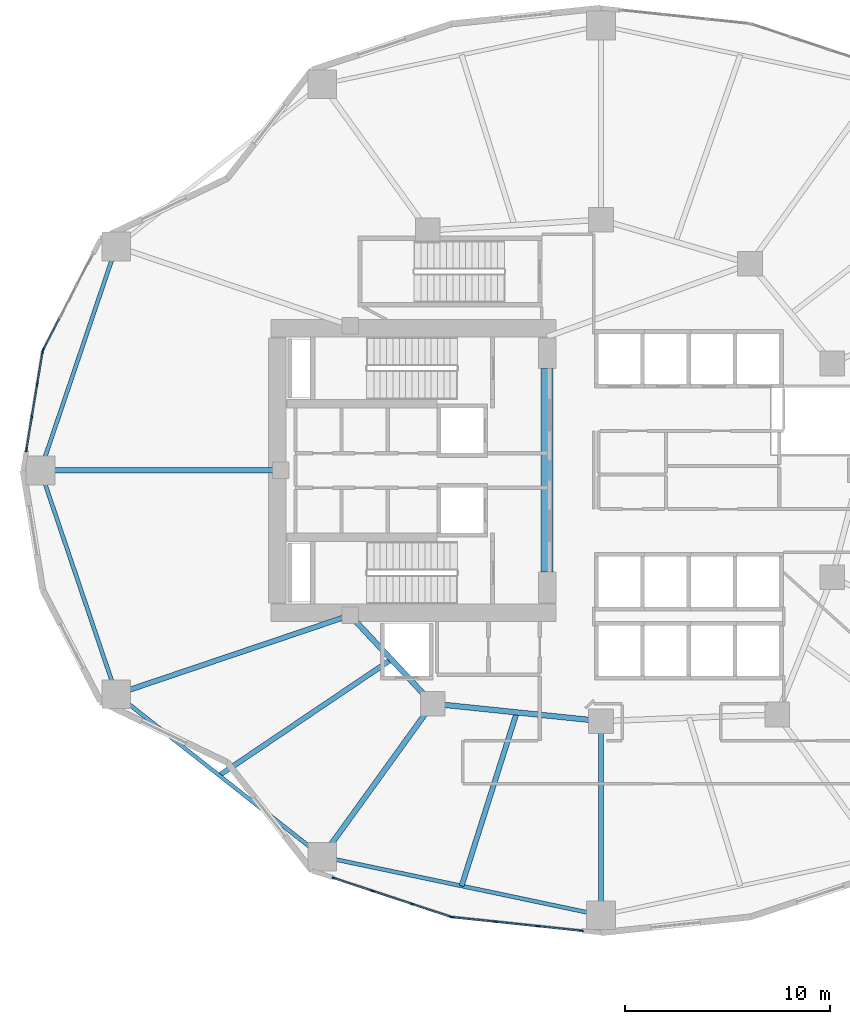
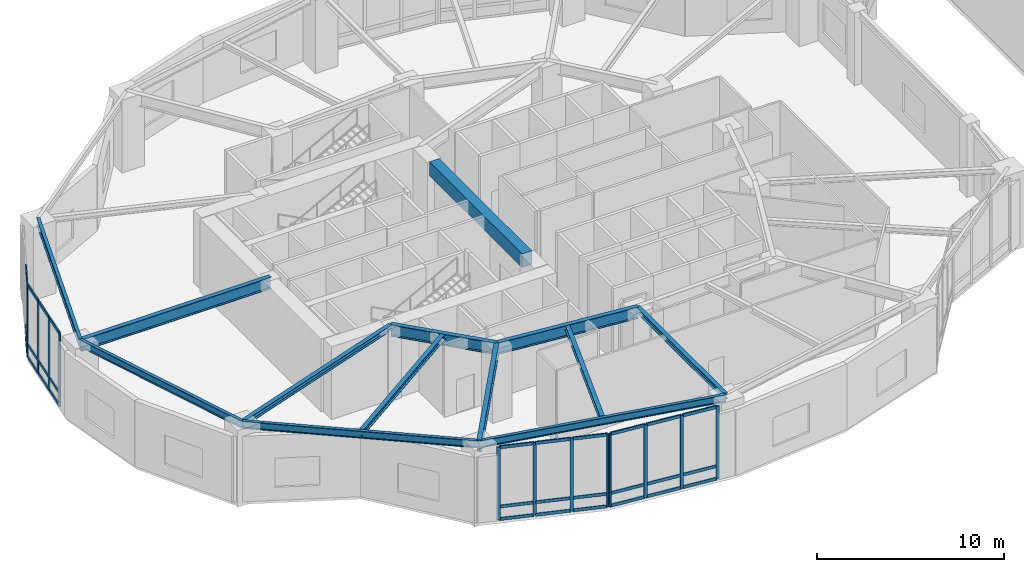
# One storey, part 2 of 21: 43 members, 13 beams, 4 elements without a shape of their own.
"""IFC4 building model written with IfcOpenShell, lengths in metres."""

import ifcopenshell
import ifcopenshell.guid

model = None  # the IFC model being written
_history = None  # IfcOwnerHistory: only IFC2X3 demands one
_inside = {}  # id of a spatial element -> (the spatial element, [elements in it])
_under = {}  # id of a project, library or spatial element -> (it, [spatial elements below it])
_declared = {}  # id of a project -> (the project, [libraries it declares])
_typed = {}  # id of a type object -> (the type object, [elements of that type])
_made_of = {}  # id of a material, layer set ... -> (it, [elements and type objects made of it])


def new_model(schema):
    """Start an empty IFC model of exactly this schema.

    Asked for "IFC4X3", IfcOpenShell would pick the latest addendum, in which some entities
    have other attributes; the version numbers below select the first issue.
    IFC2X3 requires an IfcOwnerHistory on every rooted entity: one is made here for all.
    """
    global model, _history
    if schema == "IFC4X3":
        model = ifcopenshell.file(schema_version=(4, 3, 0, 0))
    else:
        model = ifcopenshell.file(schema=schema)
    _inside.clear()
    _under.clear()
    _declared.clear()
    _typed.clear()
    _made_of.clear()
    _history = None
    if model.schema == "IFC2X3":
        org = make("IfcOrganization", Name="unknown")
        user = make(
            "IfcPersonAndOrganization",
            ThePerson=make("IfcPerson", FamilyName="unknown"),
            TheOrganization=org,
        )
        app = make(
            "IfcApplication",
            ApplicationDeveloper=org,
            Version="unknown",
            ApplicationFullName="unknown",
            ApplicationIdentifier="unknown",
        )
        _history = make(
            "IfcOwnerHistory",
            OwningUser=user,
            OwningApplication=app,
            ChangeAction="ADDED",
            CreationDate=0,
        )
    return model


def make(cls, **values):
    """One entity of the class cls with the attributes given. An attribute that is None is left unset."""
    return model.create_entity(
        cls, **{name: value for name, value in values.items() if value is not None}
    )


def rooted(cls, **values):
    """An entity with a GlobalId (a new one), such as an element, a storey or a relation."""
    return make(cls, GlobalId=ifcopenshell.guid.new(), OwnerHistory=_history, **values)


def si_unit(unit_type, name, prefix=None):
    """IfcSIUnit, for example si_unit("LENGTHUNIT", "METRE", prefix="MILLI")."""
    return make("IfcSIUnit", UnitType=unit_type, Prefix=prefix, Name=name)


def assignment(units):
    """IfcUnitAssignment: the units of a project."""
    return None if units is None else make("IfcUnitAssignment", Units=units)


def point(xyz):
    """IfcCartesianPoint."""
    return None if xyz is None else make("IfcCartesianPoint", Coordinates=xyz)


def direction(xyz):
    """IfcDirection."""
    return None if xyz is None else make("IfcDirection", DirectionRatios=xyz)


def frame(location, z_axis=None, x_axis=None):
    """IfcAxis2Placement3D, a coordinate frame: its origin and axes. An axis left out is left unset."""
    return make(
        "IfcAxis2Placement3D",
        Location=point(location),
        Axis=direction(z_axis),
        RefDirection=direction(x_axis),
    )


def frame_2d(location, x_axis=None):
    """IfcAxis2Placement2D, a coordinate frame in the plane: its origin and x axis."""
    return make(
        "IfcAxis2Placement2D", Location=point(location), RefDirection=direction(x_axis)
    )


def origin():
    """The frame at (0, 0, 0) with its axes left unset."""
    return frame((0.0, 0.0, 0.0))


def origin_2d():
    """The frame at (0, 0) in the plane with its x axis left unset."""
    return frame_2d((0.0, 0.0))


def place(relative_to, where):
    """IfcLocalPlacement: puts the frame where relative to a parent placement (None: the world)."""
    return make(
        "IfcLocalPlacement", PlacementRelTo=relative_to, RelativePlacement=where
    )


def context(
    kind, dimensions, precision=None, world=None, true_north=None, identifier=None
):
    """IfcGeometricRepresentationContext, for example the 3D "Model" context."""
    return make(
        "IfcGeometricRepresentationContext",
        ContextIdentifier=identifier,
        ContextType=kind,
        CoordinateSpaceDimension=dimensions,
        Precision=precision,
        WorldCoordinateSystem=world,
        TrueNorth=true_north,
    )


def subcontext(parent, identifier, kind, view, scale=None):
    """IfcGeometricRepresentationSubContext, for example "Body" below "Model"."""
    return make(
        "IfcGeometricRepresentationSubContext",
        ContextIdentifier=identifier,
        ContextType=kind,
        ParentContext=parent,
        TargetScale=scale,
        TargetView=view,
    )


def project(units=None, contexts=None):
    """IfcProject with its units and contexts."""
    return rooted(
        "IfcProject",
        Name="project",
        RepresentationContexts=contexts,
        UnitsInContext=assignment(units),
    )


def spatial(cls, under=None, at=None, **own):
    """A site, building, storey or space (cls), placed at a placement, below another one or the project."""
    s = rooted(cls, ObjectPlacement=at, **own)
    if under is not None:
        _under.setdefault(under.id(), (under, []))[1].append(s)
    return s


def profile(cls, at=None, kind="AREA", **sizes):
    """A parametric profile (cls). Its sizes go by their IFC names, for example OverallWidth=200.0."""
    return make(cls, ProfileType=kind, Position=at, **sizes)


def rectangle(**sizes):
    """IfcRectangleProfileDef."""
    return profile("IfcRectangleProfileDef", **sizes)


def i_section(**sizes):
    """IfcIShapeProfileDef."""
    return profile("IfcIShapeProfileDef", **sizes)


def extrude(swept, where, along, depth):
    """IfcExtrudedAreaSolid: the profile swept, set in the frame where, extruded along a direction by depth."""
    return make(
        "IfcExtrudedAreaSolid",
        SweptArea=swept,
        Position=where,
        ExtrudedDirection=direction(along),
        Depth=depth,
    )


def shape(context_of_items, identifier, shape_type, items):
    """IfcShapeRepresentation: the items that make up one representation, for example the "Body"."""
    return make(
        "IfcShapeRepresentation",
        ContextOfItems=context_of_items,
        RepresentationIdentifier=identifier,
        RepresentationType=shape_type,
        Items=items,
    )


def material(Name=None, Category=None):
    """IfcMaterial."""
    return make("IfcMaterial", Name=Name, Category=Category)


def layer(
    of_material, thickness, ventilated=None, Name=None, Category=None, Priority=None
):
    """IfcMaterialLayer: one layer of a wall or slab, of a material (None: an air gap)."""
    return make(
        "IfcMaterialLayer",
        Material=of_material,
        LayerThickness=thickness,
        IsVentilated=ventilated,
        Name=Name,
        Category=Category,
        Priority=Priority,
    )


def layer_set(layers, Name=None):
    """IfcMaterialLayerSet."""
    return make("IfcMaterialLayerSet", MaterialLayers=layers, LayerSetName=Name)


def material_profile(
    of_material, cross_section, Name=None, Category=None, Priority=None
):
    """IfcMaterialProfile: a cross section and its material."""
    return make(
        "IfcMaterialProfile",
        Name=Name,
        Material=of_material,
        Profile=cross_section,
        Priority=Priority,
        Category=Category,
    )


def profile_set(profiles, Name=None, composite=None):
    """IfcMaterialProfileSet."""
    return make(
        "IfcMaterialProfileSet",
        Name=Name,
        MaterialProfiles=profiles,
        CompositeProfile=composite,
    )


def made_of(thing, what):
    """Note that an element or type object is made of a material, layer set ...; save() writes the relation."""
    if what is not None:
        _made_of.setdefault(what.id(), (what, []))[1].append(thing)
    return thing


def type_object(cls, material=None, **own):
    """A type object (cls), such as IfcWallType, which elements share."""
    return made_of(rooted(cls, **own), material)


def element(
    cls,
    number,
    at=None,
    inside=None,
    cuts=None,
    type_object=None,
    material=None,
    context=None,
    identifier="Body",
    shape_type=None,
    held_by="IfcProductDefinitionShape",
    body=None,
    shapes=None,
    **own,
):
    """One element of the class cls, such as IfcWall. Its Tag is "e" and its number.

    at: its placement. inside: the storey or other place that contains it. cuts: it is an
    opening in that element (IfcRelVoidsElement). A single representation is given by context,
    identifier, shape_type and body (its items); several are given by shapes. held_by: the class
    of the entity that holds the representations. save() writes the other relations.
    """
    e = rooted(cls, Tag="e%d" % number, ObjectPlacement=at, **own)
    if body is not None:
        shapes = [shape(context, identifier, shape_type, body)]
    if shapes is not None:
        e.Representation = make(held_by, Representations=shapes)
    if inside is not None:
        _inside.setdefault(inside.id(), (inside, []))[1].append(e)
    if cuts is not None:
        rooted(
            "IfcRelVoidsElement", RelatingBuildingElement=cuts, RelatedOpeningElement=e
        )
    if type_object is not None:
        _typed.setdefault(type_object.id(), (type_object, []))[1].append(e)
    return made_of(e, material)


def aggregate(whole, parts):
    """IfcRelAggregates: a whole, such as a stair, and the parts it consists of."""
    return rooted("IfcRelAggregates", RelatingObject=whole, RelatedObjects=parts)


def save(model, path):
    """Write the relations noted so far, then the file.

    IfcRelAggregates (storeys below a building ...), IfcRelContainedInSpatialStructure (elements
    in a storey), IfcRelDefinesByType, IfcRelAssociatesMaterial and IfcRelDeclares: one each for
    every whole, place, type object, material and project.
    """
    for whole, parts in _under.values():
        aggregate(whole, parts)
    for where, things in _inside.values():
        rooted(
            "IfcRelContainedInSpatialStructure",
            RelatedElements=things,
            RelatingStructure=where,
        )
    for kind, things in _typed.values():
        rooted("IfcRelDefinesByType", RelatedObjects=things, RelatingType=kind)
    for what, things in _made_of.values():
        rooted("IfcRelAssociatesMaterial", RelatedObjects=things, RelatingMaterial=what)
    for by, libraries in _declared.values():
        rooted("IfcRelDeclares", RelatingContext=by, RelatedDefinitions=libraries)
    model.write(path)


model = new_model("IFC4")

# Units and contexts
model_context = context("Model", 3, precision=1e-05, world=origin(), true_north=direction((0.0, 1.0)))
body_context = subcontext(model_context, "Body", "Model", "MODEL_VIEW")
ifc_project = project(units=[si_unit("LENGTHUNIT", "METRE"), si_unit("AREAUNIT", "SQUARE_METRE"), si_unit("VOLUMEUNIT", "CUBIC_METRE"), si_unit("PLANEANGLEUNIT", "RADIAN"), si_unit("MASSUNIT", "GRAM", prefix="KILO")], contexts=[model_context])

# Site, building, storey
site_placement = place(None, origin())
site = spatial("IfcSite", under=ifc_project, at=site_placement, CompositionType="ELEMENT")
building_placement = place(site_placement, origin())
building = spatial("IfcBuilding", under=site, at=building_placement, Name="Kolvaren Gate Tower and Convention Centre", CompositionType="ELEMENT")
storey_placement = place(building_placement, frame((0.0, 0.0, 5.0)))
storey = spatial("IfcBuildingStorey", under=building, at=storey_placement, Name="L01", CompositionType="ELEMENT", Elevation=5.0)

# Curtain wall, member
ifc_material_1 = material(Name="Anodized Architectural Aluminium Alloy 6063-T6", Category="aluminium")
ifc_layer = layer(ifc_material_1, 0.179931640625)
ifc_layer_set = layer_set([ifc_layer], Name="Anodized Architectural Aluminium Alloy 6063-T6")
curtain_wall_type = type_object("IfcCurtainWallType", Name="CW-POD-GLZ", PredefinedType="NOTDEFINED", material=ifc_layer_set)
curtain_wall_1_placement = place(storey_placement, origin())
curtain_wall_1 = element("IfcCurtainWall", 1, at=curtain_wall_1_placement, inside=storey, type_object=curtain_wall_type, Name="Tower L01 Unitised Curtain Wall CW-POD-GLZ Bay 10", PredefinedType="NOTDEFINED")
ifc_material_profile_1 = material_profile(ifc_material_1, rectangle(XDim=0.074951171875, YDim=0.199951171875, at=origin_2d()), Name="CW-MEM-MUL-200")
ifc_profile_set_1 = profile_set([ifc_material_profile_1], Name="Anodized Architectural Aluminium Alloy 6063-T6")
member_type_1 = type_object("IfcMemberType", Name="CW-MEM-MUL-200", PredefinedType="MULLION", material=ifc_profile_set_1)
member_1_placement = place(storey_placement, frame((2.9755859375, 32.856689453125, 0.0), z_axis=(0.0, 0.0, 1.0), x_axis=(-0.888028058024, 0.459789264949, 0.0)))
member_1 = element("IfcMember", 2, at=member_1_placement, type_object=member_type_1, Name="CW-01 mullion 1", PredefinedType="MULLION", context=body_context, shape_type="SweptSolid", body=[
    extrude(rectangle(XDim=0.074951171875, YDim=0.199951171875, at=origin_2d()), origin(), (0.0, 0.0, 1.0), 4.739990234375),
])

# Curtain wall, members
curtain_wall_2_placement = place(storey_placement, origin())
curtain_wall_2 = element("IfcCurtainWall", 3, at=curtain_wall_2_placement, inside=storey, type_object=curtain_wall_type, Name="Tower L01 Unitised Curtain Wall CW-POD-GLZ Bay 11", PredefinedType="NOTDEFINED")
member_2_placement = place(storey_placement, frame((2.164794921875, 28.001953125, 0.0), z_axis=(0.0, 0.0, 1.0), x_axis=(-0.986728883059, 0.162376449454, 0.0)))
member_2 = element("IfcMember", 4, at=member_2_placement, type_object=member_type_1, Name="CW-01 mullion 1", PredefinedType="MULLION", context=body_context, shape_type="SweptSolid", body=[
    extrude(rectangle(XDim=0.074951171875, YDim=0.199951171875, at=origin_2d()), origin(), (0.0, 0.0, 1.0), 4.739990234375),
])
member_3_placement = place(storey_placement, frame((2.42529296875, 29.58447265625, 0.0), z_axis=(0.0, 0.0, 1.0), x_axis=(-0.986728883059, 0.162376449454, 0.0)))
member_3 = element("IfcMember", 5, at=member_3_placement, type_object=member_type_1, Name="CW-01 mullion 2", PredefinedType="MULLION", context=body_context, shape_type="SweptSolid", body=[
    extrude(rectangle(XDim=0.074951171875, YDim=0.199951171875, at=origin_2d()), origin(), (0.0, 0.0, 1.0), 4.739990234375),
])
member_4_placement = place(storey_placement, frame((2.69189453125, 31.203857421875, 0.0), z_axis=(0.0, 0.0, 1.0), x_axis=(-0.986728883059, 0.162376449454, 0.0)))
member_4 = element("IfcMember", 6, at=member_4_placement, type_object=member_type_1, Name="CW-01 mullion 3", PredefinedType="MULLION", context=body_context, shape_type="SweptSolid", body=[
    extrude(rectangle(XDim=0.074951171875, YDim=0.199951171875, at=origin_2d()), origin(), (0.0, 0.0, 1.0), 4.739990234375),
])
member_5_placement = place(storey_placement, frame((2.9521484375, 32.786376953125, 0.0), z_axis=(0.0, 0.0, 1.0), x_axis=(-0.986728883059, 0.162376449454, 0.0)))
member_5 = element("IfcMember", 7, at=member_5_placement, type_object=member_type_1, Name="CW-01 mullion 4", PredefinedType="MULLION", context=body_context, shape_type="SweptSolid", body=[
    extrude(rectangle(XDim=0.074951171875, YDim=0.199951171875, at=origin_2d()), origin(), (0.0, 0.0, 1.0), 4.739990234375),
])

curtain_wall_3_placement = place(storey_placement, origin())
curtain_wall_3 = element("IfcCurtainWall", 8, at=curtain_wall_3_placement, inside=storey, type_object=curtain_wall_type, Name="Tower L01 Unitised Curtain Wall CW-POD-GLZ Bay 16", PredefinedType="NOTDEFINED")
member_6_placement = place(storey_placement, frame((17.137451171875, 7.158203125, 0.0), z_axis=(0.0, 0.0, 1.0), x_axis=(0.314546537175, 0.949242053404, 0.0)))
member_6 = element("IfcMember", 9, at=member_6_placement, type_object=member_type_1, Name="CW-01 mullion 1", PredefinedType="MULLION", context=body_context, shape_type="SweptSolid", body=[
    extrude(rectangle(XDim=0.074951171875, YDim=0.199951171875, at=origin_2d()), origin(), (0.0, 0.0, 1.0), 4.739990234375),
])
member_7_placement = place(storey_placement, frame((19.0166015625, 6.53564453125, 0.0), z_axis=(0.0, 0.0, 1.0), x_axis=(0.314546537175, 0.949242053404, 0.0)))
member_7 = element("IfcMember", 10, at=member_7_placement, type_object=member_type_1, Name="CW-01 mullion 2", PredefinedType="MULLION", context=body_context, shape_type="SweptSolid", body=[
    extrude(rectangle(XDim=0.074951171875, YDim=0.199951171875, at=origin_2d()), origin(), (0.0, 0.0, 1.0), 4.739990234375),
])
member_8_placement = place(storey_placement, frame((20.93115234375, 5.901123046875, 0.0), z_axis=(0.0, 0.0, 1.0), x_axis=(0.314546537175, 0.949242053404, 0.0)))
member_8 = element("IfcMember", 11, at=member_8_placement, type_object=member_type_1, Name="CW-01 mullion 3", PredefinedType="MULLION", context=body_context, shape_type="SweptSolid", body=[
    extrude(rectangle(XDim=0.074951171875, YDim=0.199951171875, at=origin_2d()), origin(), (0.0, 0.0, 1.0), 4.739990234375),
])
member_9_placement = place(storey_placement, frame((22.81005859375, 5.278564453125, 0.0), z_axis=(0.0, 0.0, 1.0), x_axis=(0.314546537175, 0.949242053404, 0.0)))
member_9 = element("IfcMember", 12, at=member_9_placement, type_object=member_type_1, Name="CW-01 mullion 4", PredefinedType="MULLION", context=body_context, shape_type="SweptSolid", body=[
    extrude(rectangle(XDim=0.074951171875, YDim=0.199951171875, at=origin_2d()), origin(), (0.0, 0.0, 1.0), 4.739990234375),
])

curtain_wall_4_placement = place(storey_placement, origin())
curtain_wall_4 = element("IfcCurtainWall", 13, at=curtain_wall_4_placement, inside=storey, type_object=curtain_wall_type, Name="Tower L01 Unitised Curtain Wall CW-POD-GLZ Bay 17", PredefinedType="NOTDEFINED")
member_10_placement = place(storey_placement, frame((22.883056640625, 5.2626953125, 0.0), z_axis=(0.0, 0.0, 1.0), x_axis=(0.104741799872, 0.994499449653, 0.0)))
member_10 = element("IfcMember", 14, at=member_10_placement, type_object=member_type_1, Name="CW-01 mullion 1", PredefinedType="MULLION", context=body_context, shape_type="SweptSolid", body=[
    extrude(rectangle(XDim=0.074951171875, YDim=0.199951171875, at=origin_2d()), origin(), (0.0, 0.0, 1.0), 4.739990234375),
])
member_11_placement = place(storey_placement, frame((24.96435546875, 5.04345703125, 0.0), z_axis=(0.0, 0.0, 1.0), x_axis=(0.104741799872, 0.994499449653, 0.0)))
member_11 = element("IfcMember", 15, at=member_11_placement, type_object=member_type_1, Name="CW-01 mullion 2", PredefinedType="MULLION", context=body_context, shape_type="SweptSolid", body=[
    extrude(rectangle(XDim=0.074951171875, YDim=0.199951171875, at=origin_2d()), origin(), (0.0, 0.0, 1.0), 4.739990234375),
])
member_12_placement = place(storey_placement, frame((27.0830078125, 4.8203125, 0.0), z_axis=(0.0, 0.0, 1.0), x_axis=(0.104741799872, 0.994499449653, 0.0)))
member_12 = element("IfcMember", 16, at=member_12_placement, type_object=member_type_1, Name="CW-01 mullion 3", PredefinedType="MULLION", context=body_context, shape_type="SweptSolid", body=[
    extrude(rectangle(XDim=0.074951171875, YDim=0.199951171875, at=origin_2d()), origin(), (0.0, 0.0, 1.0), 4.739990234375),
])
member_13_placement = place(storey_placement, frame((29.164306640625, 4.601318359375, 0.0), z_axis=(0.0, 0.0, 1.0), x_axis=(0.104741799872, 0.994499449653, 0.0)))
member_13 = element("IfcMember", 17, at=member_13_placement, type_object=member_type_1, Name="CW-01 mullion 4", PredefinedType="MULLION", context=body_context, shape_type="SweptSolid", body=[
    extrude(rectangle(XDim=0.074951171875, YDim=0.199951171875, at=origin_2d()), origin(), (0.0, 0.0, 1.0), 4.739990234375),
])

# Member
ifc_material_profile_2 = material_profile(ifc_material_1, rectangle(XDim=0.074951171875, YDim=0.199951171875, at=origin_2d()), Name="CW-MEM-TRN-200")
ifc_profile_set_2 = profile_set([ifc_material_profile_2], Name="Anodized Architectural Aluminium Alloy 6063-T6")
member_type_2 = type_object("IfcMemberType", Name="CW-MEM-TRN-200", PredefinedType="USERDEFINED", material=ifc_profile_set_2)
member_14_placement = place(storey_placement, frame((2.99267578125, 32.889892578125, 0.03759765625), z_axis=(0.459779568352, 0.888033078509, 0.0), x_axis=(-0.888033078509, 0.459779568352, 0.0)))
member_14 = element("IfcMember", 18, at=member_14_placement, type_object=member_type_2, Name="CW-01 transom 1.1", ObjectType="TRANSOM", PredefinedType="USERDEFINED", context=body_context, shape_type="SweptSolid", body=[
    extrude(rectangle(XDim=0.074951171875, YDim=0.199951171875, at=origin_2d()), origin(), (0.0, 0.0, 1.0), 1.6572265625),
])

member_15_placement = place(storey_placement, frame((2.99267578125, 32.889892578125, 0.85009765625), z_axis=(0.459779568352, 0.888033078509, 0.0), x_axis=(-0.888033078509, 0.459779568352, 0.0)))
member_15 = element("IfcMember", 19, at=member_15_placement, type_object=member_type_2, Name="CW-01 transom 1.2", ObjectType="TRANSOM", PredefinedType="USERDEFINED", context=body_context, shape_type="SweptSolid", body=[
    extrude(rectangle(XDim=0.074951171875, YDim=0.199951171875, at=origin_2d()), origin(), (0.0, 0.0, 1.0), 1.6572265625),
])

member_16_placement = place(storey_placement, frame((2.99267578125, 32.889892578125, 4.702392578125), z_axis=(0.459779568352, 0.888033078509, 0.0), x_axis=(-0.888033078509, 0.459779568352, 0.0)))
member_16 = element("IfcMember", 20, at=member_16_placement, type_object=member_type_2, Name="CW-01 transom 1.3", ObjectType="TRANSOM", PredefinedType="USERDEFINED", context=body_context, shape_type="SweptSolid", body=[
    extrude(rectangle(XDim=0.074951171875, YDim=0.199951171875, at=origin_2d()), origin(), (0.0, 0.0, 1.0), 1.6572265625),
])

aggregate(curtain_wall_1, [member_1, member_14, member_15, member_16])

member_17_placement = place(storey_placement, frame((2.1708984375, 28.0390625, 0.03759765625), z_axis=(0.162430279012, 0.98672002334, 0.0), x_axis=(-0.98672002334, 0.162430279012, 0.0)))
member_17 = element("IfcMember", 21, at=member_17_placement, type_object=member_type_2, Name="CW-01 transom 1.1", ObjectType="TRANSOM", PredefinedType="USERDEFINED", context=body_context, shape_type="SweptSolid", body=[
    extrude(rectangle(XDim=0.074951171875, YDim=0.199951171875, at=origin_2d()), origin(), (0.0, 0.0, 1.0), 1.528564453125),
])

member_18_placement = place(storey_placement, frame((2.1708984375, 28.0390625, 0.85009765625), z_axis=(0.162430279012, 0.98672002334, 0.0), x_axis=(-0.98672002334, 0.162430279012, 0.0)))
member_18 = element("IfcMember", 22, at=member_18_placement, type_object=member_type_2, Name="CW-01 transom 1.2", ObjectType="TRANSOM", PredefinedType="USERDEFINED", context=body_context, shape_type="SweptSolid", body=[
    extrude(rectangle(XDim=0.074951171875, YDim=0.199951171875, at=origin_2d()), origin(), (0.0, 0.0, 1.0), 1.528564453125),
])

member_19_placement = place(storey_placement, frame((2.1708984375, 28.0390625, 4.702392578125), z_axis=(0.162430279012, 0.98672002334, 0.0), x_axis=(-0.98672002334, 0.162430279012, 0.0)))
member_19 = element("IfcMember", 23, at=member_19_placement, type_object=member_type_2, Name="CW-01 transom 1.3", ObjectType="TRANSOM", PredefinedType="USERDEFINED", context=body_context, shape_type="SweptSolid", body=[
    extrude(rectangle(XDim=0.074951171875, YDim=0.199951171875, at=origin_2d()), origin(), (0.0, 0.0, 1.0), 1.528564453125),
])

member_20_placement = place(storey_placement, frame((2.431396484375, 29.62158203125, 0.03759765625), z_axis=(0.162426987198, 0.986720565221, 0.0), x_axis=(-0.986720565221, 0.162426987198, 0.0)))
member_20 = element("IfcMember", 24, at=member_20_placement, type_object=member_type_2, Name="CW-01 transom 2.1", ObjectType="TRANSOM", PredefinedType="USERDEFINED", context=body_context, shape_type="SweptSolid", body=[
    extrude(rectangle(XDim=0.074951171875, YDim=0.199951171875, at=origin_2d()), origin(), (0.0, 0.0, 1.0), 1.566162109375),
])

member_21_placement = place(storey_placement, frame((2.431396484375, 29.62158203125, 0.85009765625), z_axis=(0.162426987198, 0.986720565221, 0.0), x_axis=(-0.986720565221, 0.162426987198, 0.0)))
member_21 = element("IfcMember", 25, at=member_21_placement, type_object=member_type_2, Name="CW-01 transom 2.2", ObjectType="TRANSOM", PredefinedType="USERDEFINED", context=body_context, shape_type="SweptSolid", body=[
    extrude(rectangle(XDim=0.074951171875, YDim=0.199951171875, at=origin_2d()), origin(), (0.0, 0.0, 1.0), 1.566162109375),
])

member_22_placement = place(storey_placement, frame((2.431396484375, 29.62158203125, 4.702392578125), z_axis=(0.162426987198, 0.986720565221, 0.0), x_axis=(-0.986720565221, 0.162426987198, 0.0)))
member_22 = element("IfcMember", 26, at=member_22_placement, type_object=member_type_2, Name="CW-01 transom 2.3", ObjectType="TRANSOM", PredefinedType="USERDEFINED", context=body_context, shape_type="SweptSolid", body=[
    extrude(rectangle(XDim=0.074951171875, YDim=0.199951171875, at=origin_2d()), origin(), (0.0, 0.0, 1.0), 1.566162109375),
])

member_23_placement = place(storey_placement, frame((2.697998046875, 31.240966796875, 0.03759765625), z_axis=(0.162249200801, 0.986749814715, 0.0), x_axis=(-0.986749814715, 0.162249200801, 0.0)))
member_23 = element("IfcMember", 27, at=member_23_placement, type_object=member_type_2, Name="CW-01 transom 3.1", ObjectType="TRANSOM", PredefinedType="USERDEFINED", context=body_context, shape_type="SweptSolid", body=[
    extrude(rectangle(XDim=0.074951171875, YDim=0.199951171875, at=origin_2d()), origin(), (0.0, 0.0, 1.0), 1.52880859375),
])

member_24_placement = place(storey_placement, frame((2.697998046875, 31.240966796875, 0.85009765625), z_axis=(0.162249200801, 0.986749814715, 0.0), x_axis=(-0.986749814715, 0.162249200801, 0.0)))
member_24 = element("IfcMember", 28, at=member_24_placement, type_object=member_type_2, Name="CW-01 transom 3.2", ObjectType="TRANSOM", PredefinedType="USERDEFINED", context=body_context, shape_type="SweptSolid", body=[
    extrude(rectangle(XDim=0.074951171875, YDim=0.199951171875, at=origin_2d()), origin(), (0.0, 0.0, 1.0), 1.52880859375),
])

member_25_placement = place(storey_placement, frame((2.697998046875, 31.240966796875, 4.702392578125), z_axis=(0.162249200801, 0.986749814715, 0.0), x_axis=(-0.986749814715, 0.162249200801, 0.0)))
member_25 = element("IfcMember", 29, at=member_25_placement, type_object=member_type_2, Name="CW-01 transom 3.3", ObjectType="TRANSOM", PredefinedType="USERDEFINED", context=body_context, shape_type="SweptSolid", body=[
    extrude(rectangle(XDim=0.074951171875, YDim=0.199951171875, at=origin_2d()), origin(), (0.0, 0.0, 1.0), 1.52880859375),
])

aggregate(curtain_wall_2, [member_2, member_3, member_4, member_5, member_17, member_18, member_19, member_20, member_21, member_22, member_23, member_24, member_25])

member_26_placement = place(storey_placement, frame((17.173095703125, 7.146484375, 0.03759765625), z_axis=(0.949233065789, -0.314573658804, 0.0), x_axis=(0.314573658804, 0.949233065789, 0.0)))
member_26 = element("IfcMember", 30, at=member_26_placement, type_object=member_type_2, Name="CW-01 transom 1.1", ObjectType="TRANSOM", PredefinedType="USERDEFINED", context=body_context, shape_type="SweptSolid", body=[
    extrude(rectangle(XDim=0.074951171875, YDim=0.199951171875, at=origin_2d()), origin(), (0.0, 0.0, 1.0), 1.904541015625),
])

member_27_placement = place(storey_placement, frame((17.173095703125, 7.146484375, 0.85009765625), z_axis=(0.949233065789, -0.314573658804, 0.0), x_axis=(0.314573658804, 0.949233065789, 0.0)))
member_27 = element("IfcMember", 31, at=member_27_placement, type_object=member_type_2, Name="CW-01 transom 1.2", ObjectType="TRANSOM", PredefinedType="USERDEFINED", context=body_context, shape_type="SweptSolid", body=[
    extrude(rectangle(XDim=0.074951171875, YDim=0.199951171875, at=origin_2d()), origin(), (0.0, 0.0, 1.0), 1.904541015625),
])

member_28_placement = place(storey_placement, frame((17.173095703125, 7.146484375, 4.702392578125), z_axis=(0.949233065789, -0.314573658804, 0.0), x_axis=(0.314573658804, 0.949233065789, 0.0)))
member_28 = element("IfcMember", 32, at=member_28_placement, type_object=member_type_2, Name="CW-01 transom 1.3", ObjectType="TRANSOM", PredefinedType="USERDEFINED", context=body_context, shape_type="SweptSolid", body=[
    extrude(rectangle(XDim=0.074951171875, YDim=0.199951171875, at=origin_2d()), origin(), (0.0, 0.0, 1.0), 1.904541015625),
])

member_29_placement = place(storey_placement, frame((19.052001953125, 6.523681640625, 0.03759765625), z_axis=(0.949247481786, -0.314530154871, 0.0), x_axis=(0.314530154871, 0.949247481786, 0.0)))
member_29 = element("IfcMember", 33, at=member_29_placement, type_object=member_type_2, Name="CW-01 transom 2.1", ObjectType="TRANSOM", PredefinedType="USERDEFINED", context=body_context, shape_type="SweptSolid", body=[
    extrude(rectangle(XDim=0.074951171875, YDim=0.199951171875, at=origin_2d()), origin(), (0.0, 0.0, 1.0), 1.942138671875),
])

member_30_placement = place(storey_placement, frame((19.052001953125, 6.523681640625, 0.85009765625), z_axis=(0.949247481786, -0.314530154871, 0.0), x_axis=(0.314530154871, 0.949247481786, 0.0)))
member_30 = element("IfcMember", 34, at=member_30_placement, type_object=member_type_2, Name="CW-01 transom 2.2", ObjectType="TRANSOM", PredefinedType="USERDEFINED", context=body_context, shape_type="SweptSolid", body=[
    extrude(rectangle(XDim=0.074951171875, YDim=0.199951171875, at=origin_2d()), origin(), (0.0, 0.0, 1.0), 1.942138671875),
])

member_31_placement = place(storey_placement, frame((19.052001953125, 6.523681640625, 4.702392578125), z_axis=(0.949247481786, -0.314530154871, 0.0), x_axis=(0.314530154871, 0.949247481786, 0.0)))
member_31 = element("IfcMember", 35, at=member_31_placement, type_object=member_type_2, Name="CW-01 transom 2.3", ObjectType="TRANSOM", PredefinedType="USERDEFINED", context=body_context, shape_type="SweptSolid", body=[
    extrude(rectangle(XDim=0.074951171875, YDim=0.199951171875, at=origin_2d()), origin(), (0.0, 0.0, 1.0), 1.942138671875),
])

member_32_placement = place(storey_placement, frame((20.966796875, 5.889404296875, 0.03759765625), z_axis=(0.949220378414, -0.314611940657, 0.0), x_axis=(0.314611940657, 0.949220378414, 0.0)))
member_32 = element("IfcMember", 36, at=member_32_placement, type_object=member_type_2, Name="CW-01 transom 3.1", ObjectType="TRANSOM", PredefinedType="USERDEFINED", context=body_context, shape_type="SweptSolid", body=[
    extrude(rectangle(XDim=0.074951171875, YDim=0.199951171875, at=origin_2d()), origin(), (0.0, 0.0, 1.0), 1.904296875),
])

member_33_placement = place(storey_placement, frame((20.966796875, 5.889404296875, 0.85009765625), z_axis=(0.949220378414, -0.314611940657, 0.0), x_axis=(0.314611940657, 0.949220378414, 0.0)))
member_33 = element("IfcMember", 37, at=member_33_placement, type_object=member_type_2, Name="CW-01 transom 3.2", ObjectType="TRANSOM", PredefinedType="USERDEFINED", context=body_context, shape_type="SweptSolid", body=[
    extrude(rectangle(XDim=0.074951171875, YDim=0.199951171875, at=origin_2d()), origin(), (0.0, 0.0, 1.0), 1.904296875),
])

member_34_placement = place(storey_placement, frame((20.966796875, 5.889404296875, 4.702392578125), z_axis=(0.949220378414, -0.314611940657, 0.0), x_axis=(0.314611940657, 0.949220378414, 0.0)))
member_34 = element("IfcMember", 38, at=member_34_placement, type_object=member_type_2, Name="CW-01 transom 3.3", ObjectType="TRANSOM", PredefinedType="USERDEFINED", context=body_context, shape_type="SweptSolid", body=[
    extrude(rectangle(XDim=0.074951171875, YDim=0.199951171875, at=origin_2d()), origin(), (0.0, 0.0, 1.0), 1.904296875),
])

aggregate(curtain_wall_3, [member_6, member_7, member_8, member_9, member_26, member_27, member_28, member_29, member_30, member_31, member_32, member_33, member_34])

member_35_placement = place(storey_placement, frame((22.920166015625, 5.2587890625, 0.03759765625), z_axis=(0.994508767121, -0.104653294837, 0.0), x_axis=(0.104653294837, 0.994508767121, 0.0)))
member_35 = element("IfcMember", 39, at=member_35_placement, type_object=member_type_2, Name="CW-01 transom 1.1", ObjectType="TRANSOM", PredefinedType="USERDEFINED", context=body_context, shape_type="SweptSolid", body=[
    extrude(rectangle(XDim=0.074951171875, YDim=0.199951171875, at=origin_2d()), origin(), (0.0, 0.0, 1.0), 2.017822265625),
])

member_36_placement = place(storey_placement, frame((22.920166015625, 5.2587890625, 0.85009765625), z_axis=(0.994508767121, -0.104653294837, 0.0), x_axis=(0.104653294837, 0.994508767121, 0.0)))
member_36 = element("IfcMember", 40, at=member_36_placement, type_object=member_type_2, Name="CW-01 transom 1.2", ObjectType="TRANSOM", PredefinedType="USERDEFINED", context=body_context, shape_type="SweptSolid", body=[
    extrude(rectangle(XDim=0.074951171875, YDim=0.199951171875, at=origin_2d()), origin(), (0.0, 0.0, 1.0), 2.017822265625),
])

member_37_placement = place(storey_placement, frame((22.920166015625, 5.2587890625, 4.702392578125), z_axis=(0.994508767121, -0.104653294837, 0.0), x_axis=(0.104653294837, 0.994508767121, 0.0)))
member_37 = element("IfcMember", 41, at=member_37_placement, type_object=member_type_2, Name="CW-01 transom 1.3", ObjectType="TRANSOM", PredefinedType="USERDEFINED", context=body_context, shape_type="SweptSolid", body=[
    extrude(rectangle(XDim=0.074951171875, YDim=0.199951171875, at=origin_2d()), origin(), (0.0, 0.0, 1.0), 2.017822265625),
])

member_38_placement = place(storey_placement, frame((25.001708984375, 5.03955078125, 0.03759765625), z_axis=(0.994508706958, -0.104653866559, 0.0), x_axis=(0.104653866559, 0.994508706958, 0.0)))
member_38 = element("IfcMember", 42, at=member_38_placement, type_object=member_type_2, Name="CW-01 transom 2.1", ObjectType="TRANSOM", PredefinedType="USERDEFINED", context=body_context, shape_type="SweptSolid", body=[
    extrude(rectangle(XDim=0.074951171875, YDim=0.199951171875, at=origin_2d()), origin(), (0.0, 0.0, 1.0), 2.05517578125),
])

member_39_placement = place(storey_placement, frame((25.001708984375, 5.03955078125, 0.85009765625), z_axis=(0.994508706958, -0.104653866559, 0.0), x_axis=(0.104653866559, 0.994508706958, 0.0)))
member_39 = element("IfcMember", 43, at=member_39_placement, type_object=member_type_2, Name="CW-01 transom 2.2", ObjectType="TRANSOM", PredefinedType="USERDEFINED", context=body_context, shape_type="SweptSolid", body=[
    extrude(rectangle(XDim=0.074951171875, YDim=0.199951171875, at=origin_2d()), origin(), (0.0, 0.0, 1.0), 2.05517578125),
])

member_40_placement = place(storey_placement, frame((25.001708984375, 5.03955078125, 4.702392578125), z_axis=(0.994508706958, -0.104653866559, 0.0), x_axis=(0.104653866559, 0.994508706958, 0.0)))
member_40 = element("IfcMember", 44, at=member_40_placement, type_object=member_type_2, Name="CW-01 transom 2.3", ObjectType="TRANSOM", PredefinedType="USERDEFINED", context=body_context, shape_type="SweptSolid", body=[
    extrude(rectangle(XDim=0.074951171875, YDim=0.199951171875, at=origin_2d()), origin(), (0.0, 0.0, 1.0), 2.05517578125),
])

member_41_placement = place(storey_placement, frame((27.1201171875, 4.81640625, 0.03759765625), z_axis=(0.994508767121, -0.104653294837, 0.0), x_axis=(0.104653294837, 0.994508767121, 0.0)))
member_41 = element("IfcMember", 45, at=member_41_placement, type_object=member_type_2, Name="CW-01 transom 3.1", ObjectType="TRANSOM", PredefinedType="USERDEFINED", context=body_context, shape_type="SweptSolid", body=[
    extrude(rectangle(XDim=0.074951171875, YDim=0.199951171875, at=origin_2d()), origin(), (0.0, 0.0, 1.0), 2.017822265625),
])

member_42_placement = place(storey_placement, frame((27.1201171875, 4.81640625, 0.85009765625), z_axis=(0.994508767121, -0.104653294837, 0.0), x_axis=(0.104653294837, 0.994508767121, 0.0)))
member_42 = element("IfcMember", 46, at=member_42_placement, type_object=member_type_2, Name="CW-01 transom 3.2", ObjectType="TRANSOM", PredefinedType="USERDEFINED", context=body_context, shape_type="SweptSolid", body=[
    extrude(rectangle(XDim=0.074951171875, YDim=0.199951171875, at=origin_2d()), origin(), (0.0, 0.0, 1.0), 2.017822265625),
])

member_43_placement = place(storey_placement, frame((27.1201171875, 4.81640625, 4.702392578125), z_axis=(0.994508767121, -0.104653294837, 0.0), x_axis=(0.104653294837, 0.994508767121, 0.0)))
member_43 = element("IfcMember", 47, at=member_43_placement, type_object=member_type_2, Name="CW-01 transom 3.3", ObjectType="TRANSOM", PredefinedType="USERDEFINED", context=body_context, shape_type="SweptSolid", body=[
    extrude(rectangle(XDim=0.074951171875, YDim=0.199951171875, at=origin_2d()), origin(), (0.0, 0.0, 1.0), 2.017822265625),
])

aggregate(curtain_wall_4, [member_10, member_11, member_12, member_13, member_35, member_36, member_37, member_38, member_39, member_40, member_41, member_42, member_43])

# Beams
ifc_material_2 = material(Name="Structural steel ASTM A992 Grade 345 MPa", Category="steel")
ifc_material_profile_3 = material_profile(ifc_material_2, i_section(OverallWidth=0.26806640625, OverallDepth=0.758056640625, WebThickness=0.016357421875, FlangeThickness=0.025390625, at=origin_2d()), Name="W760X220")
ifc_profile_set_3 = profile_set([ifc_material_profile_3], Name="Structural steel ASTM A992 Grade 345 MPa")
beam_type_1 = type_object("IfcBeamType", Name="STR-BM-W760X220", PredefinedType="BEAM", material=ifc_profile_set_3)
beam_1_placement = place(storey_placement, frame((17.9140625, 19.949951171875, 4.361083984375), z_axis=(0.682557592987, -0.730831808459, 0.0), x_axis=(0.730831808459, 0.682557592987, 0.0)))
element("IfcBeam", 48, at=beam_1_placement, inside=storey, type_object=beam_type_1, Name="Tower L01 Primary Ring Girder G-06", PredefinedType="BEAM", context=body_context, shape_type="SweptSolid", body=[
    extrude(i_section(OverallWidth=0.26806640625, OverallDepth=0.758056640625, WebThickness=0.016357421875, FlangeThickness=0.025390625, at=origin_2d()), origin(), (0.0, 0.0, 1.0), 5.88671875),
])
beam_2_placement = place(storey_placement, frame((21.93212890625, 15.647705078125, 4.361083984375), z_axis=(0.994690329115, -0.102913308978, 0.0), x_axis=(0.102913308978, 0.994690329115, 0.0)))
element("IfcBeam", 49, at=beam_2_placement, inside=storey, type_object=beam_type_1, Name="Tower L01 Primary Ring Girder G-07", PredefinedType="BEAM", context=body_context, shape_type="SweptSolid", body=[
    extrude(i_section(OverallWidth=0.26806640625, OverallDepth=0.758056640625, WebThickness=0.016357421875, FlangeThickness=0.025390625, at=origin_2d()), origin(), (0.0, 0.0, 1.0), 8.236572265625),
])
beam_3_placement = place(storey_placement, frame((14.550048828125, 27.0, 4.361083984375), z_axis=(-1.0, 0.0, 0.0), x_axis=(0.0, -1.0, 0.0)))
element("IfcBeam", 50, at=beam_3_placement, inside=storey, type_object=beam_type_1, Name="Tower L01 Radial Floor Girder RB-07", PredefinedType="BEAM", context=body_context, shape_type="SweptSolid", body=[
    extrude(i_section(OverallWidth=0.26806640625, OverallDepth=0.758056640625, WebThickness=0.016357421875, FlangeThickness=0.025390625, at=origin_2d()), origin(), (0.0, 0.0, 1.0), 11.699951171875),
])
beam_4_placement = place(storey_placement, frame((21.93212890625, 15.647705078125, 4.361083984375), z_axis=(-0.585206018873, -0.810884649919, 0.0), x_axis=(0.810884649919, -0.585206018873, 0.0)))
element("IfcBeam", 51, at=beam_4_placement, inside=storey, type_object=beam_type_1, Name="Tower L01 Radial Floor Girder RB-09", PredefinedType="BEAM", context=body_context, shape_type="SweptSolid", body=[
    extrude(i_section(OverallWidth=0.26806640625, OverallDepth=0.758056640625, WebThickness=0.016357421875, FlangeThickness=0.025390625, at=origin_2d()), origin(), (0.0, 0.0, 1.0), 9.18017578125),
])
ifc_material_profile_4 = material_profile(ifc_material_2, i_section(OverallWidth=0.2548828125, OverallDepth=0.35693359375, WebThickness=0.010498046875, FlangeThickness=0.018310546875, at=origin_2d()), Name="W360X101")
ifc_profile_set_4 = profile_set([ifc_material_profile_4], Name="Structural steel ASTM A992 Grade 345 MPa")
beam_type_2 = type_object("IfcBeamType", Name="STR-JS-W360X101", PredefinedType="JOIST", material=ifc_profile_set_4)
beam_5_placement = place(storey_placement, frame((17.9140625, 19.949951171875, 4.5615234375), z_axis=(-0.947373842609, -0.320129352512, 0.0), x_axis=(0.320129352512, -0.947373842609, 0.0)))
element("IfcBeam", 52, at=beam_5_placement, inside=storey, type_object=beam_type_2, Name="Tower L01 Radial Floor Girder RB-08", PredefinedType="JOIST", context=body_context, shape_type="SweptSolid", body=[
    extrude(i_section(OverallWidth=0.2548828125, OverallDepth=0.35693359375, WebThickness=0.010498046875, FlangeThickness=0.018310546875, at=origin_2d()), origin(), (0.0, 0.0, 1.0), 12.006103515625),
])
beam_6_placement = place(storey_placement, frame((30.125, 14.800048828125, 4.5615234375), z_axis=(0.0, -1.0, 0.0), x_axis=(1.0, 0.0, 0.0)))
element("IfcBeam", 53, at=beam_6_placement, inside=storey, type_object=beam_type_2, Name="Tower L01 Radial Floor Girder RB-10", PredefinedType="JOIST", context=body_context, shape_type="SweptSolid", body=[
    extrude(i_section(OverallWidth=0.2548828125, OverallDepth=0.35693359375, WebThickness=0.010498046875, FlangeThickness=0.018310546875, at=origin_2d()), origin(), (0.0, 0.0, 1.0), 9.449951171875),
])
beam_7_placement = place(storey_placement, frame((19.923095703125, 17.798828125, 4.5615234375), z_axis=(-0.829223797874, -0.558916713866, 0.0), x_axis=(0.558916713866, -0.829223797874, 0.0)))
element("IfcBeam", 54, at=beam_7_placement, inside=storey, type_object=beam_type_2, Name="Tower L01 Secondary Composite Floor Joist J-08.1", PredefinedType="JOIST", context=body_context, shape_type="SweptSolid", body=[
    extrude(i_section(OverallWidth=0.2548828125, OverallDepth=0.35693359375, WebThickness=0.010498046875, FlangeThickness=0.018310546875, at=origin_2d()), origin(), (0.0, 0.0, 1.0), 10.09765625),
])
beam_8_placement = place(storey_placement, frame((26.028564453125, 15.223876953125, 4.5615234375), z_axis=(-0.303059270932, -0.952971709078, 0.0), x_axis=(0.952971709078, -0.303059270932, 0.0)))
element("IfcBeam", 55, at=beam_8_placement, inside=storey, type_object=beam_type_2, Name="Tower L01 Secondary Composite Floor Joist J-09.1", PredefinedType="JOIST", context=body_context, shape_type="SweptSolid", body=[
    extrude(i_section(OverallWidth=0.2548828125, OverallDepth=0.35693359375, WebThickness=0.010498046875, FlangeThickness=0.018310546875, at=origin_2d()), origin(), (0.0, 0.0, 1.0), 8.86376953125),
])
ifc_material_3 = material(Name="Concrete C60/75", Category="concrete")
ifc_material_profile_5 = material_profile(ifc_material_3, rectangle(XDim=0.60009765625, YDim=0.89990234375, at=origin_2d()), Name="RC-BM-600X900")
ifc_profile_set_5 = profile_set([ifc_material_profile_5], Name="Concrete C60/75")
beam_type_3 = type_object("IfcBeamType", Name="STR-LN-RC600X900", PredefinedType="LINTEL", material=ifc_profile_set_5)
beam_9_placement = place(storey_placement, frame((27.5, 22.050048828125, 4.2900390625), z_axis=(0.0, 1.0, 0.0), x_axis=(-1.0, 0.0, 0.0)))
element("IfcBeam", 56, at=beam_9_placement, inside=storey, type_object=beam_type_3, Name="Tower L01 Core Ductile Coupling Beam CB-01", PredefinedType="LINTEL", context=body_context, shape_type="SweptSolid", body=[
    extrude(rectangle(XDim=0.60009765625, YDim=0.89990234375, at=origin_2d()), origin(), (0.0, 0.0, 1.0), 9.89990234375),
])
ifc_material_profile_6 = material_profile(ifc_material_2, i_section(OverallWidth=0.194091796875, OverallDepth=0.468994140625, WebThickness=0.0126953125, FlangeThickness=0.0205078125, at=origin_2d()), Name="W460X106")
ifc_profile_set_6 = profile_set([ifc_material_profile_6], Name="Structural steel ASTM A992 Grade 345 MPa")
beam_type_4 = type_object("IfcBeamType", Name="STR-SP-W460X106", PredefinedType="SPANDREL", material=ifc_profile_set_6)
for number, where, z_axis, x_axis, name in (
    (57, (6.539794921875, 37.8935546875, 4.505615234375), (-0.320802733798, -0.947146032029, 0.0), (0.947146032029, -0.320802733798, 0.0), "Tower L01 Perimeter Spandrel Beam SP-06"),
    (58, (2.85009765625, 27.0, 4.505615234375), (0.320802733798, -0.947146032029, 0.0), (0.947146032029, 0.320802733798, 0.0), "Tower L01 Perimeter Spandrel Beam SP-07"),
):
    element("IfcBeam", number, at=place(storey_placement, frame(where, z_axis=z_axis, x_axis=x_axis)), inside=storey, type_object=beam_type_4, Name=name, PredefinedType="SPANDREL", context=body_context, shape_type="SweptSolid", body=[
        extrude(i_section(OverallWidth=0.194091796875, OverallDepth=0.468994140625, WebThickness=0.0126953125, FlangeThickness=0.0205078125, at=origin_2d()), origin(), (0.0, 0.0, 1.0), 11.50146484375),
    ])
beam_10_placement = place(storey_placement, frame((6.539794921875, 16.1064453125, 4.505615234375), z_axis=(0.785176498861, -0.619272044933, 0.0), x_axis=(0.619272044933, 0.785176498861, 0.0)))
element("IfcBeam", 59, at=beam_10_placement, inside=storey, type_object=beam_type_4, Name="Tower L01 Perimeter Spandrel Beam SP-08", PredefinedType="SPANDREL", context=body_context, shape_type="SweptSolid", body=[
    extrude(i_section(OverallWidth=0.194091796875, OverallDepth=0.468994140625, WebThickness=0.0126953125, FlangeThickness=0.0205078125, at=origin_2d()), origin(), (0.0, 0.0, 1.0), 12.761474609375),
])
beam_11_placement = place(storey_placement, frame((16.559814453125, 8.20361328125, 4.505615234375), z_axis=(0.978583407863, -0.205850707685, 0.0), x_axis=(0.205850707685, 0.978583407863, 0.0)))
element("IfcBeam", 60, at=beam_11_placement, inside=storey, type_object=beam_type_4, Name="Tower L01 Perimeter Spandrel Beam SP-09", PredefinedType="SPANDREL", context=body_context, shape_type="SweptSolid", body=[
    extrude(i_section(OverallWidth=0.194091796875, OverallDepth=0.468994140625, WebThickness=0.0126953125, FlangeThickness=0.0205078125, at=origin_2d()), origin(), (0.0, 0.0, 1.0), 13.862060546875),
])

save(model, "model.ifc")
